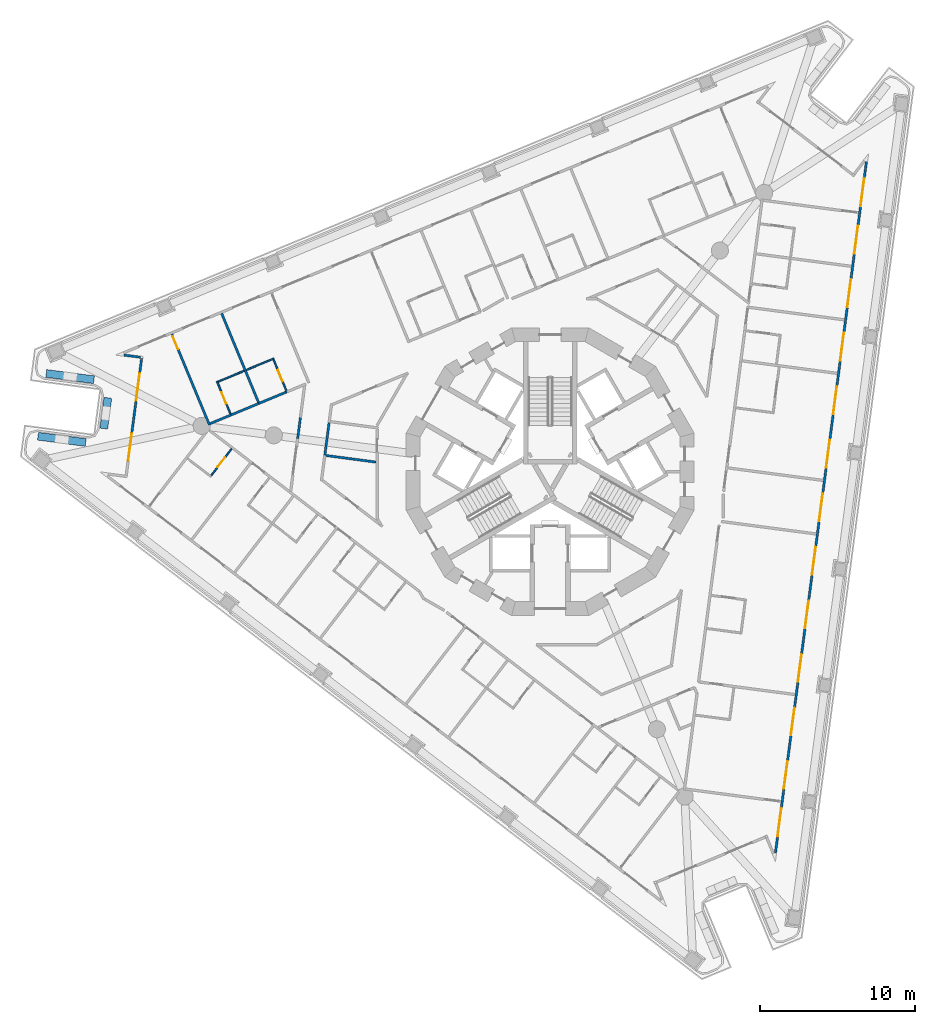
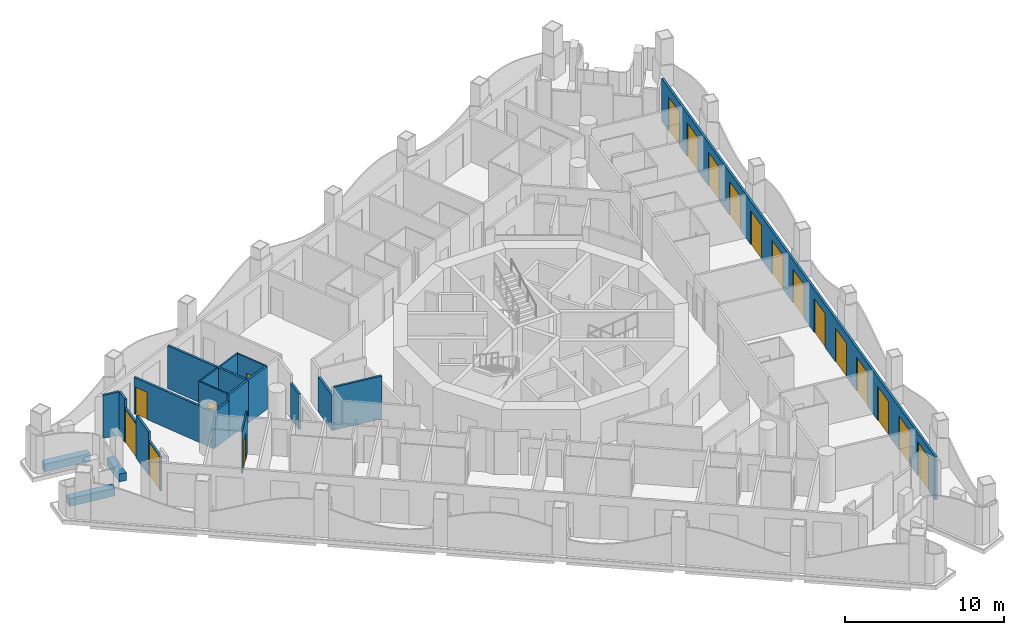
# One storey, part 6 of 17: 22 walls, 19 doors, 19 openings.
"""IFC4 building model written with IfcOpenShell, lengths in metres."""

import ifcopenshell
import ifcopenshell.guid

model = None  # the IFC model being written
_history = None  # IfcOwnerHistory: only IFC2X3 demands one
_inside = {}  # id of a spatial element -> (the spatial element, [elements in it])
_under = {}  # id of a project, library or spatial element -> (it, [spatial elements below it])
_declared = {}  # id of a project -> (the project, [libraries it declares])
_typed = {}  # id of a type object -> (the type object, [elements of that type])
_made_of = {}  # id of a material, layer set ... -> (it, [elements and type objects made of it])


def new_model(schema):
    """Start an empty IFC model of exactly this schema.

    Asked for "IFC4X3", IfcOpenShell would pick the latest addendum, in which some entities
    have other attributes; the version numbers below select the first issue.
    IFC2X3 requires an IfcOwnerHistory on every rooted entity: one is made here for all.
    """
    global model, _history
    if schema == "IFC4X3":
        model = ifcopenshell.file(schema_version=(4, 3, 0, 0))
    else:
        model = ifcopenshell.file(schema=schema)
    _inside.clear()
    _under.clear()
    _declared.clear()
    _typed.clear()
    _made_of.clear()
    _history = None
    if model.schema == "IFC2X3":
        org = make("IfcOrganization", Name="unknown")
        user = make(
            "IfcPersonAndOrganization",
            ThePerson=make("IfcPerson", FamilyName="unknown"),
            TheOrganization=org,
        )
        app = make(
            "IfcApplication",
            ApplicationDeveloper=org,
            Version="unknown",
            ApplicationFullName="unknown",
            ApplicationIdentifier="unknown",
        )
        _history = make(
            "IfcOwnerHistory",
            OwningUser=user,
            OwningApplication=app,
            ChangeAction="ADDED",
            CreationDate=0,
        )
    return model


def make(cls, **values):
    """One entity of the class cls with the attributes given. An attribute that is None is left unset."""
    return model.create_entity(
        cls, **{name: value for name, value in values.items() if value is not None}
    )


def rooted(cls, **values):
    """An entity with a GlobalId (a new one), such as an element, a storey or a relation."""
    return make(cls, GlobalId=ifcopenshell.guid.new(), OwnerHistory=_history, **values)


def si_unit(unit_type, name, prefix=None):
    """IfcSIUnit, for example si_unit("LENGTHUNIT", "METRE", prefix="MILLI")."""
    return make("IfcSIUnit", UnitType=unit_type, Prefix=prefix, Name=name)


def assignment(units):
    """IfcUnitAssignment: the units of a project."""
    return None if units is None else make("IfcUnitAssignment", Units=units)


def point(xyz):
    """IfcCartesianPoint."""
    return None if xyz is None else make("IfcCartesianPoint", Coordinates=xyz)


def direction(xyz):
    """IfcDirection."""
    return None if xyz is None else make("IfcDirection", DirectionRatios=xyz)


def frame(location, z_axis=None, x_axis=None):
    """IfcAxis2Placement3D, a coordinate frame: its origin and axes. An axis left out is left unset."""
    return make(
        "IfcAxis2Placement3D",
        Location=point(location),
        Axis=direction(z_axis),
        RefDirection=direction(x_axis),
    )


def frame_2d(location, x_axis=None):
    """IfcAxis2Placement2D, a coordinate frame in the plane: its origin and x axis."""
    return make(
        "IfcAxis2Placement2D", Location=point(location), RefDirection=direction(x_axis)
    )


def origin():
    """The frame at (0, 0, 0) with its axes left unset."""
    return frame((0.0, 0.0, 0.0))


def place(relative_to, where):
    """IfcLocalPlacement: puts the frame where relative to a parent placement (None: the world)."""
    return make(
        "IfcLocalPlacement", PlacementRelTo=relative_to, RelativePlacement=where
    )


def context(
    kind, dimensions, precision=None, world=None, true_north=None, identifier=None
):
    """IfcGeometricRepresentationContext, for example the 3D "Model" context."""
    return make(
        "IfcGeometricRepresentationContext",
        ContextIdentifier=identifier,
        ContextType=kind,
        CoordinateSpaceDimension=dimensions,
        Precision=precision,
        WorldCoordinateSystem=world,
        TrueNorth=true_north,
    )


def subcontext(parent, identifier, kind, view, scale=None):
    """IfcGeometricRepresentationSubContext, for example "Body" below "Model"."""
    return make(
        "IfcGeometricRepresentationSubContext",
        ContextIdentifier=identifier,
        ContextType=kind,
        ParentContext=parent,
        TargetScale=scale,
        TargetView=view,
    )


def project(units=None, contexts=None):
    """IfcProject with its units and contexts."""
    return rooted(
        "IfcProject",
        Name="project",
        RepresentationContexts=contexts,
        UnitsInContext=assignment(units),
    )


def spatial(cls, under=None, at=None, **own):
    """A site, building, storey or space (cls), placed at a placement, below another one or the project."""
    s = rooted(cls, ObjectPlacement=at, **own)
    if under is not None:
        _under.setdefault(under.id(), (under, []))[1].append(s)
    return s


def polyline(points):
    """IfcPolyline through the points."""
    return make("IfcPolyline", Points=[point(p) for p in points])


def profile(cls, at=None, kind="AREA", **sizes):
    """A parametric profile (cls). Its sizes go by their IFC names, for example OverallWidth=200.0."""
    return make(cls, ProfileType=kind, Position=at, **sizes)


def rectangle(**sizes):
    """IfcRectangleProfileDef."""
    return profile("IfcRectangleProfileDef", **sizes)


def outline(outer, holes=None, kind="AREA"):
    """IfcArbitraryClosedProfileDef: a profile drawn as a closed curve; with holes, ...WithVoids."""
    if holes is None:
        return make("IfcArbitraryClosedProfileDef", ProfileType=kind, OuterCurve=outer)
    return make(
        "IfcArbitraryProfileDefWithVoids",
        ProfileType=kind,
        OuterCurve=outer,
        InnerCurves=holes,
    )


def extrude(swept, where, along, depth):
    """IfcExtrudedAreaSolid: the profile swept, set in the frame where, extruded along a direction by depth."""
    return make(
        "IfcExtrudedAreaSolid",
        SweptArea=swept,
        Position=where,
        ExtrudedDirection=direction(along),
        Depth=depth,
    )


def shape(context_of_items, identifier, shape_type, items):
    """IfcShapeRepresentation: the items that make up one representation, for example the "Body"."""
    return make(
        "IfcShapeRepresentation",
        ContextOfItems=context_of_items,
        RepresentationIdentifier=identifier,
        RepresentationType=shape_type,
        Items=items,
    )


def material(Name=None, Category=None):
    """IfcMaterial."""
    return make("IfcMaterial", Name=Name, Category=Category)


def layer(
    of_material, thickness, ventilated=None, Name=None, Category=None, Priority=None
):
    """IfcMaterialLayer: one layer of a wall or slab, of a material (None: an air gap)."""
    return make(
        "IfcMaterialLayer",
        Material=of_material,
        LayerThickness=thickness,
        IsVentilated=ventilated,
        Name=Name,
        Category=Category,
        Priority=Priority,
    )


def layer_set(layers, Name=None):
    """IfcMaterialLayerSet."""
    return make("IfcMaterialLayerSet", MaterialLayers=layers, LayerSetName=Name)


def made_of(thing, what):
    """Note that an element or type object is made of a material, layer set ...; save() writes the relation."""
    if what is not None:
        _made_of.setdefault(what.id(), (what, []))[1].append(thing)
    return thing


def type_object(cls, material=None, **own):
    """A type object (cls), such as IfcWallType, which elements share."""
    return made_of(rooted(cls, **own), material)


def element(
    cls,
    number,
    at=None,
    inside=None,
    cuts=None,
    type_object=None,
    material=None,
    context=None,
    identifier="Body",
    shape_type=None,
    held_by="IfcProductDefinitionShape",
    body=None,
    shapes=None,
    **own,
):
    """One element of the class cls, such as IfcWall. Its Tag is "e" and its number.

    at: its placement. inside: the storey or other place that contains it. cuts: it is an
    opening in that element (IfcRelVoidsElement). A single representation is given by context,
    identifier, shape_type and body (its items); several are given by shapes. held_by: the class
    of the entity that holds the representations. save() writes the other relations.
    """
    e = rooted(cls, Tag="e%d" % number, ObjectPlacement=at, **own)
    if body is not None:
        shapes = [shape(context, identifier, shape_type, body)]
    if shapes is not None:
        e.Representation = make(held_by, Representations=shapes)
    if inside is not None:
        _inside.setdefault(inside.id(), (inside, []))[1].append(e)
    if cuts is not None:
        rooted(
            "IfcRelVoidsElement", RelatingBuildingElement=cuts, RelatedOpeningElement=e
        )
    if type_object is not None:
        _typed.setdefault(type_object.id(), (type_object, []))[1].append(e)
    return made_of(e, material)


def fill(opening, filler):
    """IfcRelFillsElement: the door or window that sits in an opening."""
    return rooted(
        "IfcRelFillsElement",
        RelatingOpeningElement=opening,
        RelatedBuildingElement=filler,
    )


def aggregate(whole, parts):
    """IfcRelAggregates: a whole, such as a stair, and the parts it consists of."""
    return rooted("IfcRelAggregates", RelatingObject=whole, RelatedObjects=parts)


def save(model, path):
    """Write the relations noted so far, then the file.

    IfcRelAggregates (storeys below a building ...), IfcRelContainedInSpatialStructure (elements
    in a storey), IfcRelDefinesByType, IfcRelAssociatesMaterial and IfcRelDeclares: one each for
    every whole, place, type object, material and project.
    """
    for whole, parts in _under.values():
        aggregate(whole, parts)
    for where, things in _inside.values():
        rooted(
            "IfcRelContainedInSpatialStructure",
            RelatedElements=things,
            RelatingStructure=where,
        )
    for kind, things in _typed.values():
        rooted("IfcRelDefinesByType", RelatedObjects=things, RelatingType=kind)
    for what, things in _made_of.values():
        rooted("IfcRelAssociatesMaterial", RelatedObjects=things, RelatingMaterial=what)
    for by, libraries in _declared.values():
        rooted("IfcRelDeclares", RelatingContext=by, RelatedDefinitions=libraries)
    model.write(path)


model = new_model("IFC4")

# Units and contexts
model_context = context("Model", 3, precision=1e-05, world=origin(), true_north=direction((0.0, 1.0)))
body_context = subcontext(model_context, "Body", "Model", "MODEL_VIEW")
ifc_project = project(units=[si_unit("LENGTHUNIT", "METRE"), si_unit("AREAUNIT", "SQUARE_METRE"), si_unit("VOLUMEUNIT", "CUBIC_METRE"), si_unit("PLANEANGLEUNIT", "RADIAN"), si_unit("MASSUNIT", "GRAM", prefix="KILO")], contexts=[model_context])

# Site, building, storey
site_placement = place(None, origin())
site = spatial("IfcSite", under=ifc_project, at=site_placement, CompositionType="ELEMENT")
building_placement = place(site_placement, origin())
building = spatial("IfcBuilding", under=site, at=building_placement, Name="Trine Commons Tower", CompositionType="ELEMENT")
storey_placement = place(building_placement, frame((0.0, 0.0, 138.60009765625)))
storey = spatial("IfcBuildingStorey", under=building, at=storey_placement, Name="L35", CompositionType="ELEMENT", Elevation=138.60009765625)

# Wall, opening, door
ifc_material_1 = material(Name="Aluminium-framed insulated wall panel", Category="aluminium")
ifc_layer_1 = layer(ifc_material_1, 0.14990234375)
ifc_layer_set_1 = layer_set([ifc_layer_1], Name="Aluminium-framed insulated wall panel")
wall_type_1 = type_object("IfcWallType", Name="Glazed frame wall 150, EI 60", PredefinedType="SOLIDWALL", material=ifc_layer_set_1)
wall_1_placement = place(storey_placement, frame((52.811279296875, 63.154296875, 0.0), z_axis=(0.0, 0.0, 1.0), x_axis=(0.130547578832, 0.991442045538, 0.0)))
wall_1 = element("IfcWall", 1, at=wall_1_placement, inside=storey, type_object=wall_type_1, Name="Glazed frame wall P1.2", PredefinedType="SOLIDWALL", context=body_context, shape_type="SweptSolid", body=[
    extrude(outline(polyline([(0.0, -0.074951171875), (1.89990234375, -0.074951171875), (1.89990234375, 0.074951171875), (0.0, 0.074951171875), (0.0, -0.074951171875)])), origin(), (0.0, 0.0, 1.0), 2.64990234375),
])
opening_1_placement = place(wall_1_placement, frame((0.050048828125, 0.0, 0.0)))
opening_1 = element("IfcOpeningElement", 2, at=opening_1_placement, cuts=wall_1, Name="Opening BD-4P1-01", PredefinedType="OPENING", context=body_context, shape_type="SweptSolid", body=[
    extrude(rectangle(XDim=1.800048828125, YDim=2.60009765625, at=frame_2d((0.89990234375, 1.300048828125))), frame((0.0, 0.0849609375, 0.0), z_axis=(0.0, -1.0, 0.0), x_axis=(1.0, 0.0, 0.0)), (0.0, 0.0, 1.0), 0.169921875),
])
ifc_material_2 = material(Name="Anodised aluminium frame with double glazing", Category="aluminium")
door_type_1 = type_object("IfcDoorType", Name="Sliding loggia door 1800x2600", OperationType="SLIDING_TO_LEFT", PredefinedType="DOOR", material=ifc_material_2)
door_1_placement = place(opening_1_placement, origin())
door_1 = element("IfcDoor", 3, at=door_1_placement, inside=storey, type_object=door_type_1, Name="Loggia door P1 1", OperationType="SLIDING_TO_LEFT", OverallHeight=2.60009765625, OverallWidth=1.800048828125, PredefinedType="DOOR", context=body_context, shape_type="SweptSolid", body=[
    extrude(rectangle(XDim=1.800048828125, YDim=2.60009765625, at=frame_2d((0.89990234375, 1.300048828125))), frame((0.0, 0.02490234375, 0.0), z_axis=(0.0, -1.0, 0.0), x_axis=(1.0, 0.0, 0.0)), (0.0, 0.0, 1.0), 0.050048828125),
])
fill(opening_1, door_1)

# Wall
wall_2_placement = place(storey_placement, frame((53.059326171875, 65.0380859375, 0.0), z_axis=(0.0, 0.0, 1.0), x_axis=(0.130492404742, 0.991449308994, 0.0)))
element("IfcWall", 4, at=wall_2_placement, inside=storey, type_object=wall_type_1, Name="Glazed frame wall P1.3", PredefinedType="SOLIDWALL", context=body_context, shape_type="SweptSolid", body=[
    extrude(outline(polyline([(0.0, -0.074951171875), (2.0, -0.074951171875), (2.0, 0.074951171875), (0.0, 0.074951171875), (0.0, -0.074951171875)])), origin(), (0.0, 0.0, 1.0), 3.2998046875),
])

# Wall, opening, door
wall_3_placement = place(storey_placement, frame((53.3203125, 67.02099609375, 0.0), z_axis=(0.0, 0.0, 1.0), x_axis=(0.130547578832, 0.991442045538, 0.0)))
wall_3 = element("IfcWall", 5, at=wall_3_placement, inside=storey, type_object=wall_type_1, Name="Glazed frame wall P1.4", PredefinedType="SOLIDWALL", context=body_context, shape_type="SweptSolid", body=[
    extrude(outline(polyline([(0.0, -0.074951171875), (1.89990234375, -0.074951171875), (1.89990234375, 0.074951171875), (0.0, 0.074951171875), (0.0, -0.074951171875)])), origin(), (0.0, 0.0, 1.0), 2.64990234375),
])
opening_2_placement = place(wall_3_placement, frame((0.050048828125, 0.0, 0.0)))
opening_2 = element("IfcOpeningElement", 6, at=opening_2_placement, cuts=wall_3, Name="Opening BD-4P1-02", PredefinedType="OPENING", context=body_context, shape_type="SweptSolid", body=[
    extrude(rectangle(XDim=1.800048828125, YDim=2.60009765625, at=frame_2d((0.89990234375, 1.300048828125))), frame((0.0, 0.0849609375, 0.0), z_axis=(0.0, -1.0, 0.0), x_axis=(1.0, 0.0, 0.0)), (0.0, 0.0, 1.0), 0.169921875),
])
door_2_placement = place(opening_2_placement, origin())
door_2 = element("IfcDoor", 7, at=door_2_placement, inside=storey, type_object=door_type_1, Name="Loggia door P1 2", OperationType="SLIDING_TO_LEFT", OverallHeight=2.60009765625, OverallWidth=1.800048828125, PredefinedType="DOOR", context=body_context, shape_type="SweptSolid", body=[
    extrude(rectangle(XDim=1.800048828125, YDim=2.60009765625, at=frame_2d((0.89990234375, 1.300048828125))), frame((0.0, 0.02490234375, 0.0), z_axis=(0.0, -1.0, 0.0), x_axis=(1.0, 0.0, 0.0)), (0.0, 0.0, 1.0), 0.050048828125),
])
fill(opening_2, door_2)

# Walls
wall_4_placement = place(storey_placement, frame((53.568359375, 68.90478515625, 0.0), z_axis=(0.0, 0.0, 1.0), x_axis=(0.130612392842, 0.991433509034, 0.0)))
element("IfcWall", 8, at=wall_4_placement, inside=storey, type_object=wall_type_1, Name="Glazed frame wall P1.5", PredefinedType="SOLIDWALL", context=body_context, shape_type="SweptSolid", body=[
    extrude(outline(polyline([(0.889892578125, 0.074951171875), (0.0, 0.074951171875), (0.0, -0.074951171875), (0.889892578125, -0.074951171875), (0.889892578125, 0.074951171875)])), origin(), (0.0, 0.0, 1.0), 3.2998046875),
])
wall_5_placement = place(storey_placement, frame((53.72900390625, 69.85693359375, 0.0), z_axis=(0.0, 0.0, 1.0), x_axis=(-0.991446880033, 0.130510858064, 0.0)))
element("IfcWall", 9, at=wall_5_placement, inside=storey, type_object=wall_type_1, Name="Glazed frame wall R3", PredefinedType="SOLIDWALL", context=body_context, shape_type="SweptSolid", body=[
    extrude(outline(polyline([(0.110107421875, 0.074951171875), (0.110107421875, -0.074951171875), (1.19580078125, -0.074951171875), (1.19580078125, 0.074951171875), (0.110107421875, 0.074951171875)])), origin(), (0.0, 0.0, 1.0), 3.2998046875),
])

# Wall, openings, doors
wall_6_placement = place(storey_placement, frame((100.387939453125, 82.614013671875, 0.0), z_axis=(0.0, 0.0, 1.0), x_axis=(-0.130522128443, -0.991445396372, 0.0)))
wall_6 = element("IfcWall", 10, at=wall_6_placement, inside=storey, type_object=wall_type_1, Name="Glazed frame wall F2", PredefinedType="SOLIDWALL", context=body_context, shape_type="SweptSolid", body=[
    extrude(outline(polyline([(0.1494140625, 0.074951171875), (0.1494140625, -0.074951171875), (45.056884765625, -0.074951171875), (45.056884765625, 0.074951171875), (0.1494140625, 0.074951171875)])), origin(), (0.0, 0.0, 1.0), 3.2998046875),
])
opening_3_placement = place(wall_6_placement, frame((1.23876953125, 0.0, 0.0)))
opening_3 = element("IfcOpeningElement", 11, at=opening_3_placement, cuts=wall_6, Name="Opening BD-4F2-01", PredefinedType="OPENING", context=body_context, shape_type="SweptSolid", body=[
    extrude(rectangle(XDim=1.800048828125, YDim=2.60009765625, at=frame_2d((0.89990234375, 1.300048828125))), frame((0.0, 0.0849609375, 0.0), z_axis=(0.0, -1.0, 0.0), x_axis=(1.0, 0.0, 0.0)), (0.0, 0.0, 1.0), 0.169921875),
])
opening_4_placement = place(wall_6_placement, frame((4.316162109375, 0.0, 0.0)))
opening_4 = element("IfcOpeningElement", 12, at=opening_4_placement, cuts=wall_6, Name="Opening BD-4F2-02", PredefinedType="OPENING", context=body_context, shape_type="SweptSolid", body=[
    extrude(rectangle(XDim=1.800048828125, YDim=2.60009765625, at=frame_2d((0.89990234375, 1.300048828125))), frame((0.0, 0.0849609375, 0.0), z_axis=(0.0, -1.0, 0.0), x_axis=(1.0, 0.0, 0.0)), (0.0, 0.0, 1.0), 0.169921875),
])
opening_5_placement = place(wall_6_placement, frame((7.79345703125, 0.0, 0.0)))
opening_5 = element("IfcOpeningElement", 13, at=opening_5_placement, cuts=wall_6, Name="Opening BD-4F2-03", PredefinedType="OPENING", context=body_context, shape_type="SweptSolid", body=[
    extrude(rectangle(XDim=1.800048828125, YDim=2.60009765625, at=frame_2d((0.89990234375, 1.300048828125))), frame((0.0, 0.0849609375, 0.0), z_axis=(0.0, -1.0, 0.0), x_axis=(1.0, 0.0, 0.0)), (0.0, 0.0, 1.0), 0.169921875),
])
opening_6_placement = place(wall_6_placement, frame((11.27099609375, 0.0, 0.0)))
opening_6 = element("IfcOpeningElement", 14, at=opening_6_placement, cuts=wall_6, Name="Opening BD-4F2-04", PredefinedType="OPENING", context=body_context, shape_type="SweptSolid", body=[
    extrude(rectangle(XDim=1.800048828125, YDim=2.60009765625, at=frame_2d((0.89990234375, 1.300048828125))), frame((0.0, 0.0849609375, 0.0), z_axis=(0.0, -1.0, 0.0), x_axis=(1.0, 0.0, 0.0)), (0.0, 0.0, 1.0), 0.169921875),
])
opening_7_placement = place(wall_6_placement, frame((14.748291015625, 0.0, 0.0)))
opening_7 = element("IfcOpeningElement", 15, at=opening_7_placement, cuts=wall_6, Name="Opening BD-4F2-05", PredefinedType="OPENING", context=body_context, shape_type="SweptSolid", body=[
    extrude(rectangle(XDim=1.800048828125, YDim=2.60009765625, at=frame_2d((0.89990234375, 1.300048828125))), frame((0.0, 0.0849609375, 0.0), z_axis=(0.0, -1.0, 0.0), x_axis=(1.0, 0.0, 0.0)), (0.0, 0.0, 1.0), 0.169921875),
])
opening_8_placement = place(wall_6_placement, frame((18.2255859375, 0.0, 0.0)))
opening_8 = element("IfcOpeningElement", 16, at=opening_8_placement, cuts=wall_6, Name="Opening BD-4F2-06", PredefinedType="OPENING", context=body_context, shape_type="SweptSolid", body=[
    extrude(rectangle(XDim=1.800048828125, YDim=2.60009765625, at=frame_2d((0.89990234375, 1.300048828125))), frame((0.0, 0.0849609375, 0.0), z_axis=(0.0, -1.0, 0.0), x_axis=(1.0, 0.0, 0.0)), (0.0, 0.0, 1.0), 0.169921875),
])
opening_9_placement = place(wall_6_placement, frame((21.703125, 0.0, 0.0)))
opening_9 = element("IfcOpeningElement", 17, at=opening_9_placement, cuts=wall_6, Name="Opening BD-4F2-07", PredefinedType="OPENING", context=body_context, shape_type="SweptSolid", body=[
    extrude(rectangle(XDim=1.800048828125, YDim=2.60009765625, at=frame_2d((0.89990234375, 1.300048828125))), frame((0.0, 0.0849609375, 0.0), z_axis=(0.0, -1.0, 0.0), x_axis=(1.0, 0.0, 0.0)), (0.0, 0.0, 1.0), 0.169921875),
])
opening_10_placement = place(wall_6_placement, frame((25.180419921875, 0.0, 0.0)))
opening_10 = element("IfcOpeningElement", 18, at=opening_10_placement, cuts=wall_6, Name="Opening BD-4F2-08", PredefinedType="OPENING", context=body_context, shape_type="SweptSolid", body=[
    extrude(rectangle(XDim=1.800048828125, YDim=2.60009765625, at=frame_2d((0.89990234375, 1.300048828125))), frame((0.0, 0.0849609375, 0.0), z_axis=(0.0, -1.0, 0.0), x_axis=(1.0, 0.0, 0.0)), (0.0, 0.0, 1.0), 0.169921875),
])
opening_11_placement = place(wall_6_placement, frame((28.657958984375, 0.0, 0.0)))
opening_11 = element("IfcOpeningElement", 19, at=opening_11_placement, cuts=wall_6, Name="Opening BD-4F2-09", PredefinedType="OPENING", context=body_context, shape_type="SweptSolid", body=[
    extrude(rectangle(XDim=1.800048828125, YDim=2.60009765625, at=frame_2d((0.89990234375, 1.300048828125))), frame((0.0, 0.0849609375, 0.0), z_axis=(0.0, -1.0, 0.0), x_axis=(1.0, 0.0, 0.0)), (0.0, 0.0, 1.0), 0.169921875),
])
opening_12_placement = place(wall_6_placement, frame((32.13525390625, 0.0, 0.0)))
opening_12 = element("IfcOpeningElement", 20, at=opening_12_placement, cuts=wall_6, Name="Opening BD-4F2-10", PredefinedType="OPENING", context=body_context, shape_type="SweptSolid", body=[
    extrude(rectangle(XDim=1.800048828125, YDim=2.60009765625, at=frame_2d((0.89990234375, 1.300048828125))), frame((0.0, 0.0849609375, 0.0), z_axis=(0.0, -1.0, 0.0), x_axis=(1.0, 0.0, 0.0)), (0.0, 0.0, 1.0), 0.169921875),
])
opening_13_placement = place(wall_6_placement, frame((35.61279296875, 0.0, 0.0)))
opening_13 = element("IfcOpeningElement", 21, at=opening_13_placement, cuts=wall_6, Name="Opening BD-4F2-11", PredefinedType="OPENING", context=body_context, shape_type="SweptSolid", body=[
    extrude(rectangle(XDim=1.800048828125, YDim=2.60009765625, at=frame_2d((0.89990234375, 1.300048828125))), frame((0.0, 0.0849609375, 0.0), z_axis=(0.0, -1.0, 0.0), x_axis=(1.0, 0.0, 0.0)), (0.0, 0.0, 1.0), 0.169921875),
])
opening_14_placement = place(wall_6_placement, frame((39.090087890625, 0.0, 0.0)))
opening_14 = element("IfcOpeningElement", 22, at=opening_14_placement, cuts=wall_6, Name="Opening BD-4F2-12", PredefinedType="OPENING", context=body_context, shape_type="SweptSolid", body=[
    extrude(rectangle(XDim=1.800048828125, YDim=2.60009765625, at=frame_2d((0.89990234375, 1.300048828125))), frame((0.0, 0.0849609375, 0.0), z_axis=(0.0, -1.0, 0.0), x_axis=(1.0, 0.0, 0.0)), (0.0, 0.0, 1.0), 0.169921875),
])
opening_15_placement = place(wall_6_placement, frame((42.16748046875, 0.0, 0.0)))
opening_15 = element("IfcOpeningElement", 23, at=opening_15_placement, cuts=wall_6, Name="Opening BD-4F2-13", PredefinedType="OPENING", context=body_context, shape_type="SweptSolid", body=[
    extrude(rectangle(XDim=1.800048828125, YDim=2.60009765625, at=frame_2d((0.89990234375, 1.300048828125))), frame((0.0, 0.0849609375, 0.0), z_axis=(0.0, -1.0, 0.0), x_axis=(1.0, 0.0, 0.0)), (0.0, 0.0, 1.0), 0.169921875),
])
door_3_placement = place(opening_3_placement, origin())
door_3 = element("IfcDoor", 24, at=door_3_placement, inside=storey, type_object=door_type_1, Name="Loggia door F2 1", OperationType="SLIDING_TO_LEFT", OverallHeight=2.60009765625, OverallWidth=1.800048828125, PredefinedType="DOOR", context=body_context, shape_type="SweptSolid", body=[
    extrude(rectangle(XDim=1.800048828125, YDim=2.60009765625, at=frame_2d((0.89990234375, 1.300048828125))), frame((0.0, 0.02490234375, 0.0), z_axis=(0.0, -1.0, 0.0), x_axis=(1.0, 0.0, 0.0)), (0.0, 0.0, 1.0), 0.050048828125),
])
fill(opening_3, door_3)
door_4_placement = place(opening_4_placement, origin())
door_4 = element("IfcDoor", 25, at=door_4_placement, inside=storey, type_object=door_type_1, Name="Loggia door F2 2", OperationType="SLIDING_TO_LEFT", OverallHeight=2.60009765625, OverallWidth=1.800048828125, PredefinedType="DOOR", context=body_context, shape_type="SweptSolid", body=[
    extrude(rectangle(XDim=1.800048828125, YDim=2.60009765625, at=frame_2d((0.89990234375, 1.300048828125))), frame((0.0, 0.02490234375, 0.0), z_axis=(0.0, -1.0, 0.0), x_axis=(1.0, 0.0, 0.0)), (0.0, 0.0, 1.0), 0.050048828125),
])
fill(opening_4, door_4)
door_5_placement = place(opening_5_placement, origin())
door_5 = element("IfcDoor", 26, at=door_5_placement, inside=storey, type_object=door_type_1, Name="Loggia door F2 3", OperationType="SLIDING_TO_LEFT", OverallHeight=2.60009765625, OverallWidth=1.800048828125, PredefinedType="DOOR", context=body_context, shape_type="SweptSolid", body=[
    extrude(rectangle(XDim=1.800048828125, YDim=2.60009765625, at=frame_2d((0.89990234375, 1.300048828125))), frame((0.0, 0.02490234375, 0.0), z_axis=(0.0, -1.0, 0.0), x_axis=(1.0, 0.0, 0.0)), (0.0, 0.0, 1.0), 0.050048828125),
])
fill(opening_5, door_5)
door_6_placement = place(opening_6_placement, origin())
door_6 = element("IfcDoor", 27, at=door_6_placement, inside=storey, type_object=door_type_1, Name="Loggia door F2 4", OperationType="SLIDING_TO_LEFT", OverallHeight=2.60009765625, OverallWidth=1.800048828125, PredefinedType="DOOR", context=body_context, shape_type="SweptSolid", body=[
    extrude(rectangle(XDim=1.800048828125, YDim=2.60009765625, at=frame_2d((0.89990234375, 1.300048828125))), frame((0.0, 0.02490234375, 0.0), z_axis=(0.0, -1.0, 0.0), x_axis=(1.0, 0.0, 0.0)), (0.0, 0.0, 1.0), 0.050048828125),
])
fill(opening_6, door_6)
door_7_placement = place(opening_7_placement, origin())
door_7 = element("IfcDoor", 28, at=door_7_placement, inside=storey, type_object=door_type_1, Name="Loggia door F2 5", OperationType="SLIDING_TO_LEFT", OverallHeight=2.60009765625, OverallWidth=1.800048828125, PredefinedType="DOOR", context=body_context, shape_type="SweptSolid", body=[
    extrude(rectangle(XDim=1.800048828125, YDim=2.60009765625, at=frame_2d((0.89990234375, 1.300048828125))), frame((0.0, 0.02490234375, 0.0), z_axis=(0.0, -1.0, 0.0), x_axis=(1.0, 0.0, 0.0)), (0.0, 0.0, 1.0), 0.050048828125),
])
fill(opening_7, door_7)
door_8_placement = place(opening_8_placement, origin())
door_8 = element("IfcDoor", 29, at=door_8_placement, inside=storey, type_object=door_type_1, Name="Loggia door F2 6", OperationType="SLIDING_TO_LEFT", OverallHeight=2.60009765625, OverallWidth=1.800048828125, PredefinedType="DOOR", context=body_context, shape_type="SweptSolid", body=[
    extrude(rectangle(XDim=1.800048828125, YDim=2.60009765625, at=frame_2d((0.89990234375, 1.300048828125))), frame((0.0, 0.02490234375, 0.0), z_axis=(0.0, -1.0, 0.0), x_axis=(1.0, 0.0, 0.0)), (0.0, 0.0, 1.0), 0.050048828125),
])
fill(opening_8, door_8)
door_9_placement = place(opening_9_placement, origin())
door_9 = element("IfcDoor", 30, at=door_9_placement, inside=storey, type_object=door_type_1, Name="Loggia door F2 7", OperationType="SLIDING_TO_LEFT", OverallHeight=2.60009765625, OverallWidth=1.800048828125, PredefinedType="DOOR", context=body_context, shape_type="SweptSolid", body=[
    extrude(rectangle(XDim=1.800048828125, YDim=2.60009765625, at=frame_2d((0.89990234375, 1.300048828125))), frame((0.0, 0.02490234375, 0.0), z_axis=(0.0, -1.0, 0.0), x_axis=(1.0, 0.0, 0.0)), (0.0, 0.0, 1.0), 0.050048828125),
])
fill(opening_9, door_9)
door_10_placement = place(opening_10_placement, origin())
door_10 = element("IfcDoor", 31, at=door_10_placement, inside=storey, type_object=door_type_1, Name="Loggia door F2 8", OperationType="SLIDING_TO_LEFT", OverallHeight=2.60009765625, OverallWidth=1.800048828125, PredefinedType="DOOR", context=body_context, shape_type="SweptSolid", body=[
    extrude(rectangle(XDim=1.800048828125, YDim=2.60009765625, at=frame_2d((0.89990234375, 1.300048828125))), frame((0.0, 0.02490234375, 0.0), z_axis=(0.0, -1.0, 0.0), x_axis=(1.0, 0.0, 0.0)), (0.0, 0.0, 1.0), 0.050048828125),
])
fill(opening_10, door_10)
door_11_placement = place(opening_11_placement, origin())
door_11 = element("IfcDoor", 32, at=door_11_placement, inside=storey, type_object=door_type_1, Name="Loggia door F2 9", OperationType="SLIDING_TO_LEFT", OverallHeight=2.60009765625, OverallWidth=1.800048828125, PredefinedType="DOOR", context=body_context, shape_type="SweptSolid", body=[
    extrude(rectangle(XDim=1.800048828125, YDim=2.60009765625, at=frame_2d((0.89990234375, 1.300048828125))), frame((0.0, 0.02490234375, 0.0), z_axis=(0.0, -1.0, 0.0), x_axis=(1.0, 0.0, 0.0)), (0.0, 0.0, 1.0), 0.050048828125),
])
fill(opening_11, door_11)
door_12_placement = place(opening_12_placement, origin())
door_12 = element("IfcDoor", 33, at=door_12_placement, inside=storey, type_object=door_type_1, Name="Loggia door F2 10", OperationType="SLIDING_TO_LEFT", OverallHeight=2.60009765625, OverallWidth=1.800048828125, PredefinedType="DOOR", context=body_context, shape_type="SweptSolid", body=[
    extrude(rectangle(XDim=1.800048828125, YDim=2.60009765625, at=frame_2d((0.89990234375, 1.300048828125))), frame((0.0, 0.02490234375, 0.0), z_axis=(0.0, -1.0, 0.0), x_axis=(1.0, 0.0, 0.0)), (0.0, 0.0, 1.0), 0.050048828125),
])
fill(opening_12, door_12)
door_13_placement = place(opening_13_placement, origin())
door_13 = element("IfcDoor", 34, at=door_13_placement, inside=storey, type_object=door_type_1, Name="Loggia door F2 11", OperationType="SLIDING_TO_LEFT", OverallHeight=2.60009765625, OverallWidth=1.800048828125, PredefinedType="DOOR", context=body_context, shape_type="SweptSolid", body=[
    extrude(rectangle(XDim=1.800048828125, YDim=2.60009765625, at=frame_2d((0.89990234375, 1.300048828125))), frame((0.0, 0.02490234375, 0.0), z_axis=(0.0, -1.0, 0.0), x_axis=(1.0, 0.0, 0.0)), (0.0, 0.0, 1.0), 0.050048828125),
])
fill(opening_13, door_13)
door_14_placement = place(opening_14_placement, origin())
door_14 = element("IfcDoor", 35, at=door_14_placement, inside=storey, type_object=door_type_1, Name="Loggia door F2 12", OperationType="SLIDING_TO_LEFT", OverallHeight=2.60009765625, OverallWidth=1.800048828125, PredefinedType="DOOR", context=body_context, shape_type="SweptSolid", body=[
    extrude(rectangle(XDim=1.800048828125, YDim=2.60009765625, at=frame_2d((0.89990234375, 1.300048828125))), frame((0.0, 0.02490234375, 0.0), z_axis=(0.0, -1.0, 0.0), x_axis=(1.0, 0.0, 0.0)), (0.0, 0.0, 1.0), 0.050048828125),
])
fill(opening_14, door_14)
door_15_placement = place(opening_15_placement, origin())
door_15 = element("IfcDoor", 36, at=door_15_placement, inside=storey, type_object=door_type_1, Name="Loggia door F2 13", OperationType="SLIDING_TO_LEFT", OverallHeight=2.60009765625, OverallWidth=1.800048828125, PredefinedType="DOOR", context=body_context, shape_type="SweptSolid", body=[
    extrude(rectangle(XDim=1.800048828125, YDim=2.60009765625, at=frame_2d((0.89990234375, 1.300048828125))), frame((0.0, 0.02490234375, 0.0), z_axis=(0.0, -1.0, 0.0), x_axis=(1.0, 0.0, 0.0)), (0.0, 0.0, 1.0), 0.050048828125),
])
fill(opening_15, door_15)

# Walls
ifc_material_3 = material(Name="Planter trough, precast concrete C40/50", Category="concrete")
ifc_layer_2 = layer(ifc_material_3, 0.5)
ifc_layer_set_2 = layer_set([ifc_layer_2], Name="Planter trough, precast concrete C40/50")
wall_type_2 = type_object("IfcWallType", Name="Planter trough 500x600", PredefinedType="PARAPET", material=ifc_layer_set_2)
wall_7_placement = place(storey_placement, frame((47.009765625, 64.78564453125, 0.0), z_axis=(0.0, 0.0, 1.0), x_axis=(0.991448665422, -0.130497294353, 0.0)))
element("IfcWall", 37, at=wall_7_placement, inside=storey, type_object=wall_type_2, Name="Planter 1", PredefinedType="PARAPET", context=body_context, shape_type="SweptSolid", body=[
    extrude(rectangle(XDim=3.10009765625, YDim=0.5, at=frame_2d((1.550048828125, 0.0))), origin(), (0.0, 0.0, 1.0), 0.599853515625),
])
wall_8_placement = place(storey_placement, frame((51.25, 65.2763671875, 0.0), z_axis=(0.0, 0.0, 1.0), x_axis=(0.130492404742, 0.991449308994, 0.0)))
element("IfcWall", 38, at=wall_8_placement, inside=storey, type_object=wall_type_2, Name="Planter 2", PredefinedType="PARAPET", context=body_context, shape_type="SweptSolid", body=[
    extrude(rectangle(XDim=2.0, YDim=0.5, at=frame_2d((1.0, 0.0))), origin(), (0.0, 0.0, 1.0), 0.599853515625),
])
wall_9_placement = place(storey_placement, frame((50.615478515625, 68.426025390625, 0.0), z_axis=(0.0, 0.0, 1.0), x_axis=(-0.991437130155, 0.130584903225, 0.0)))
element("IfcWall", 39, at=wall_9_placement, inside=storey, type_object=wall_type_2, Name="Planter 3", PredefinedType="PARAPET", context=body_context, shape_type="SweptSolid", body=[
    extrude(rectangle(XDim=3.099853515625, YDim=0.5, at=frame_2d((1.5498046875, 0.0))), origin(), (0.0, 0.0, 1.0), 0.599853515625),
])

# Wall, opening, door
ifc_material_4 = material(Name="Gypsum plasterboard on steel stud", Category="steel")
ifc_layer_3 = layer(ifc_material_4, 0.14990234375)
ifc_layer_set_3 = layer_set([ifc_layer_3], Name="Gypsum plasterboard on steel stud")
wall_type_3 = type_object("IfcWallType", Name="Unit and corridor wall 150 mm, EI 60", PredefinedType="PARTITIONING", material=ifc_layer_set_3)
wall_10_placement = place(storey_placement, frame((55.62841796875, 71.361083984375, 0.0), z_axis=(0.0, 0.0, 1.0), x_axis=(0.38260330851, -0.923912716828, 0.0)))
wall_10 = element("IfcWall", 40, at=wall_10_placement, inside=storey, type_object=wall_type_3, Name="Partition 002", PredefinedType="PARTITIONING", context=body_context, shape_type="SweptSolid", body=[
    extrude(rectangle(XDim=6.343994140625, YDim=0.14990234375, at=frame_2d((3.171875, 0.0))), origin(), (0.0, 0.0, 1.0), 2.7998046875),
])
opening_16_placement = place(wall_10_placement, frame((0.14990234375, 0.0, 0.0)))
opening_16 = element("IfcOpeningElement", 41, at=opening_16_placement, cuts=wall_10, Name="Opening D-4B05", PredefinedType="OPENING", context=body_context, shape_type="SweptSolid", body=[
    extrude(rectangle(XDim=0.89990234375, YDim=2.10009765625, at=frame_2d((0.449951171875, 1.050048828125))), frame((0.0, 0.0849609375, 0.0), z_axis=(0.0, -1.0, 0.0), x_axis=(1.0, 0.0, 0.0)), (0.0, 0.0, 1.0), 0.169921875),
])
ifc_material_5 = material(Name="Timber fire door set", Category="wood")
door_type_2 = type_object("IfcDoorType", Name="Bedroom door 900 x 2100, FD30S", OperationType="NOTDEFINED", PredefinedType="DOOR", material=ifc_material_5)
door_16_placement = place(opening_16_placement, origin())
door_16 = element("IfcDoor", 42, at=door_16_placement, inside=storey, type_object=door_type_2, Name="Door D-4B05", OperationType="SINGLE_SWING_LEFT", OverallHeight=2.10009765625, OverallWidth=0.89990234375, PredefinedType="DOOR", context=body_context, shape_type="SweptSolid", body=[
    extrude(rectangle(XDim=0.89990234375, YDim=2.10009765625, at=frame_2d((0.449951171875, 1.050048828125))), frame((0.0, 0.02490234375, 0.0), z_axis=(0.0, -1.0, 0.0), x_axis=(1.0, 0.0, 0.0)), (0.0, 0.0, 1.0), 0.050048828125),
])
fill(opening_16, door_16)

# Walls
wall_11_placement = place(storey_placement, frame((58.09619140625, 65.59765625, 0.0), z_axis=(0.0, 0.0, 1.0), x_axis=(0.923888134281, 0.382662665196, 0.0)))
element("IfcWall", 43, at=wall_11_placement, inside=storey, type_object=wall_type_3, Name="Partition 006", PredefinedType="PARTITIONING", context=body_context, shape_type="SweptSolid", body=[
    extrude(rectangle(XDim=1.45654296875, YDim=0.14990234375, at=frame_2d((0.728271484375, 0.0))), origin(), (0.0, 0.0, 1.0), 2.7998046875),
])
wall_12_placement = place(storey_placement, frame((58.84130859375, 72.69189453125, 0.0), z_axis=(0.0, 0.0, 1.0), x_axis=(0.382610562407, -0.923909712869, 0.0)))
element("IfcWall", 44, at=wall_12_placement, inside=storey, type_object=wall_type_3, Name="Partition 010", PredefinedType="PARTITIONING", context=body_context, shape_type="SweptSolid", body=[
    extrude(rectangle(XDim=6.19384765625, YDim=0.14990234375, at=frame_2d((3.096923828125, 0.0))), origin(), (0.0, 0.0, 1.0), 3.2998046875),
])
wall_13_placement = place(storey_placement, frame((59.388916015625, 66.1328125, 0.0), z_axis=(0.0, 0.0, 1.0), x_axis=(0.923817799338, 0.382832435442, 0.0)))
element("IfcWall", 45, at=wall_13_placement, inside=storey, type_object=wall_type_3, Name="Partition 011", PredefinedType="PARTITIONING", context=body_context, shape_type="SweptSolid", body=[
    extrude(rectangle(XDim=2.003662109375, YDim=0.14990234375, at=frame_2d((1.001953125, 0.0))), origin(), (0.0, 0.0, 1.0), 3.2998046875),
])
wall_14_placement = place(storey_placement, frame((61.239990234375, 66.89990234375, 0.0), z_axis=(0.0, 0.0, 1.0), x_axis=(0.92387678234, 0.382690071798, 0.0)))
element("IfcWall", 46, at=wall_14_placement, inside=storey, type_object=wall_type_3, Name="Partition 016", PredefinedType="PARTITIONING", context=body_context, shape_type="SweptSolid", body=[
    extrude(rectangle(XDim=1.95458984375, YDim=0.14990234375, at=frame_2d((0.977294921875, 0.0))), origin(), (0.0, 0.0, 1.0), 3.2998046875),
])
wall_15_placement = place(storey_placement, frame((63.736083984375, 64.64111328125, 0.0), z_axis=(0.0, 0.0, 1.0), x_axis=(0.129741998441, 0.991547786968, 0.0)))
element("IfcWall", 47, at=wall_15_placement, inside=storey, type_object=wall_type_3, Name="Partition 024", PredefinedType="PARTITIONING", context=body_context, shape_type="SweptSolid", body=[
    extrude(rectangle(XDim=1.347412109375, YDim=0.14990234375, at=frame_2d((0.673828125, 0.0))), origin(), (0.0, 0.0, 1.0), 2.699951171875),
])
wall_16_placement = place(storey_placement, frame((65.47314453125, 63.4755859375, 0.0), z_axis=(0.0, 0.0, 1.0), x_axis=(0.130468344309, 0.991452475479, 0.0)))
element("IfcWall", 48, at=wall_16_placement, inside=storey, type_object=wall_type_3, Name="Partition 029", PredefinedType="PARTITIONING", context=body_context, shape_type="SweptSolid", body=[
    extrude(rectangle(XDim=2.282958984375, YDim=0.14990234375, at=frame_2d((1.1416015625, 0.0))), origin(), (0.0, 0.0, 1.0), 2.699951171875),
])
wall_17_placement = place(storey_placement, frame((65.558349609375, 63.544189453125, 0.0), z_axis=(0.0, 0.0, 1.0), x_axis=(0.991425096487, -0.13067623371, 0.0)))
element("IfcWall", 49, at=wall_17_placement, inside=storey, type_object=wall_type_3, Name="Partition 030", PredefinedType="PARTITIONING", context=body_context, shape_type="SweptSolid", body=[
    extrude(rectangle(XDim=3.2470703125, YDim=0.14990234375, at=frame_2d((1.62353515625, 0.0))), origin(), (0.0, 0.0, 1.0), 3.2998046875),
])

# Wall, opening, door
ifc_layer_4 = layer(ifc_material_4, 0.10009765625)
ifc_layer_set_4 = layer_set([ifc_layer_4], Name="Gypsum plasterboard on steel stud")
wall_type_4 = type_object("IfcWallType", Name="Unit partition 100 mm, no rating", PredefinedType="PARTITIONING", material=ifc_layer_set_4)
wall_18_placement = place(storey_placement, frame((58.158447265625, 62.250732421875, 0.0), z_axis=(0.0, 0.0, 1.0), x_axis=(0.609173579823, 0.793036915689, 0.0)))
wall_18 = element("IfcWall", 50, at=wall_18_placement, inside=storey, type_object=wall_type_4, Name="Partition 007", PredefinedType="PARTITIONING", context=body_context, shape_type="SweptSolid", body=[
    extrude(rectangle(XDim=2.175048828125, YDim=0.10009765625, at=frame_2d((1.08740234375, 0.0))), origin(), (0.0, 0.0, 1.0), 3.2998046875),
])
opening_17_placement = place(wall_18_placement, frame((0.6875, 0.0, 0.0)))
opening_17 = element("IfcOpeningElement", 51, at=opening_17_placement, cuts=wall_18, Name="Opening D-4B58", PredefinedType="OPENING", context=body_context, shape_type="SweptSolid", body=[
    extrude(rectangle(XDim=0.800048828125, YDim=2.10009765625, at=frame_2d((0.39990234375, 1.050048828125))), frame((0.0, 0.06005859375, 0.0), z_axis=(0.0, -1.0, 0.0), x_axis=(1.0, 0.0, 0.0)), (0.0, 0.0, 1.0), 0.1201171875),
])
ifc_material_6 = material(Name="Painted timber", Category="wood")
door_type_3 = type_object("IfcDoorType", Name="Internal door 800 x 2100, NOT RATED", OperationType="NOTDEFINED", PredefinedType="DOOR", material=ifc_material_6)
door_17_placement = place(opening_17_placement, frame((0.800048828125, 0.0, 0.0), z_axis=(0.0, 0.0, 1.0), x_axis=(-1.0, 0.0, 0.0)))
door_17 = element("IfcDoor", 52, at=door_17_placement, inside=storey, type_object=door_type_3, Name="Door D-4B58", OperationType="SINGLE_SWING_LEFT", OverallHeight=2.10009765625, OverallWidth=0.800048828125, PredefinedType="DOOR", context=body_context, shape_type="SweptSolid", body=[
    extrude(rectangle(XDim=0.800048828125, YDim=2.10009765625, at=frame_2d((0.39990234375, 1.050048828125))), frame((0.0, 0.02490234375, 0.0), z_axis=(0.0, -1.0, 0.0), x_axis=(1.0, 0.0, 0.0)), (0.0, 0.0, 1.0), 0.050048828125),
])
fill(opening_17, door_17)

wall_19_placement = place(storey_placement, frame((58.538818359375, 68.3251953125, 0.0), z_axis=(0.0, 0.0, 1.0), x_axis=(0.382595073996, -0.923916126796, 0.0)))
wall_19 = element("IfcWall", 53, at=wall_19_placement, inside=storey, type_object=wall_type_4, Name="Partition 008", PredefinedType="PARTITIONING", context=body_context, shape_type="SweptSolid", body=[
    extrude(rectangle(XDim=2.27490234375, YDim=0.10009765625, at=frame_2d((1.137451171875, 0.0))), origin(), (0.0, 0.0, 1.0), 3.2998046875),
])
opening_18_placement = place(wall_19_placement, frame((0.7626953125, 0.0, 0.0)))
opening_18 = element("IfcOpeningElement", 54, at=opening_18_placement, cuts=wall_19, Name="Opening D-4B36", PredefinedType="OPENING", context=body_context, shape_type="SweptSolid", body=[
    extrude(rectangle(XDim=0.800048828125, YDim=2.10009765625, at=frame_2d((0.39990234375, 1.050048828125))), frame((0.0, 0.06005859375, 0.0), z_axis=(0.0, -1.0, 0.0), x_axis=(1.0, 0.0, 0.0)), (0.0, 0.0, 1.0), 0.1201171875),
])
door_18_placement = place(opening_18_placement, frame((0.800048828125, 0.0, 0.0), z_axis=(0.0, 0.0, 1.0), x_axis=(-1.0, 0.0, 0.0)))
door_18 = element("IfcDoor", 55, at=door_18_placement, inside=storey, type_object=door_type_3, Name="Door D-4B36", OperationType="SINGLE_SWING_LEFT", OverallHeight=2.10009765625, OverallWidth=0.800048828125, PredefinedType="DOOR", context=body_context, shape_type="SweptSolid", body=[
    extrude(rectangle(XDim=0.800048828125, YDim=2.10009765625, at=frame_2d((0.39990234375, 1.050048828125))), frame((0.0, 0.02490234375, 0.0), z_axis=(0.0, -1.0, 0.0), x_axis=(1.0, 0.0, 0.0)), (0.0, 0.0, 1.0), 0.050048828125),
])
fill(opening_18, door_18)

# Walls
wall_20_placement = place(storey_placement, frame((58.604248046875, 68.298095703125, 0.0), z_axis=(0.0, 0.0, 1.0), x_axis=(0.923945120737, 0.382525049986, 0.0)))
element("IfcWall", 56, at=wall_20_placement, inside=storey, type_object=wall_type_4, Name="Partition 009", PredefinedType="PARTITIONING", context=body_context, shape_type="SweptSolid", body=[
    extrude(rectangle(XDim=1.825439453125, YDim=0.10009765625, at=frame_2d((0.91259765625, 0.0))), origin(), (0.0, 0.0, 1.0), 3.2998046875),
])
wall_21_placement = place(storey_placement, frame((60.42919921875, 69.0537109375, 0.0), z_axis=(0.0, 0.0, 1.0), x_axis=(0.923911704446, 0.382605753207, 0.0)))
element("IfcWall", 57, at=wall_21_placement, inside=storey, type_object=wall_type_4, Name="Partition 013", PredefinedType="PARTITIONING", context=body_context, shape_type="SweptSolid", body=[
    extrude(rectangle(XDim=1.924560546875, YDim=0.10009765625, at=frame_2d((0.96240234375, 0.0))), origin(), (0.0, 0.0, 1.0), 3.2998046875),
])

# Wall, opening, door
wall_22_placement = place(storey_placement, frame((62.18017578125, 69.724853515625, 0.0), z_axis=(0.0, 0.0, 1.0), x_axis=(0.382958575782, -0.92376551637, 0.0)))
wall_22 = element("IfcWall", 58, at=wall_22_placement, inside=storey, type_object=wall_type_4, Name="Partition 019", PredefinedType="PARTITIONING", context=body_context, shape_type="SweptSolid", body=[
    extrude(rectangle(XDim=2.25048828125, YDim=0.10009765625, at=frame_2d((1.125244140625, 0.0))), origin(), (0.0, 0.0, 1.0), 3.2998046875),
])
opening_19_placement = place(wall_22_placement, frame((0.72509765625, 0.0, 0.0)))
opening_19 = element("IfcOpeningElement", 59, at=opening_19_placement, cuts=wall_22, Name="Opening D-4B37", PredefinedType="OPENING", context=body_context, shape_type="SweptSolid", body=[
    extrude(rectangle(XDim=0.800048828125, YDim=2.10009765625, at=frame_2d((0.39990234375, 1.050048828125))), frame((0.0, 0.06005859375, 0.0), z_axis=(0.0, -1.0, 0.0), x_axis=(1.0, 0.0, 0.0)), (0.0, 0.0, 1.0), 0.1201171875),
])
door_19_placement = place(opening_19_placement, origin())
door_19 = element("IfcDoor", 60, at=door_19_placement, inside=storey, type_object=door_type_3, Name="Door D-4B37", OperationType="SINGLE_SWING_RIGHT", OverallHeight=2.10009765625, OverallWidth=0.800048828125, PredefinedType="DOOR", context=body_context, shape_type="SweptSolid", body=[
    extrude(rectangle(XDim=0.800048828125, YDim=2.10009765625, at=frame_2d((0.39990234375, 1.050048828125))), frame((0.0, 0.02490234375, 0.0), z_axis=(0.0, -1.0, 0.0), x_axis=(1.0, 0.0, 0.0)), (0.0, 0.0, 1.0), 0.050048828125),
])
fill(opening_19, door_19)

save(model, "model.ifc")
